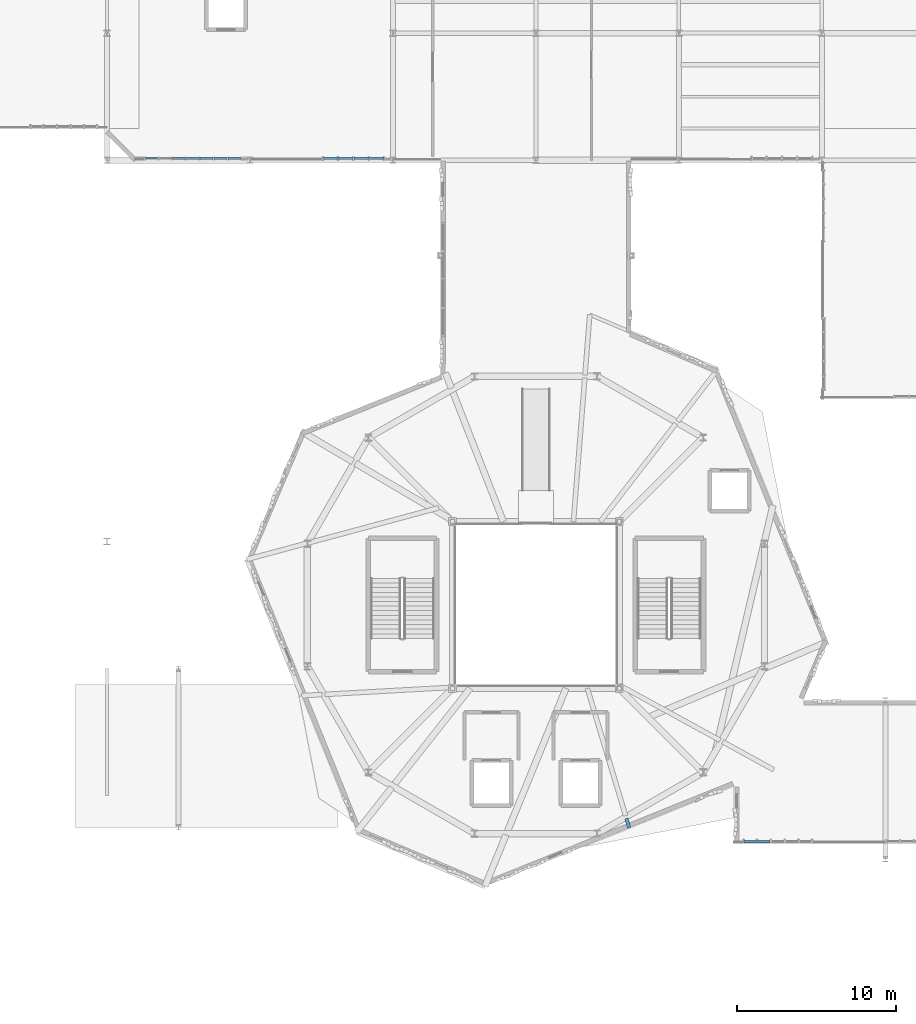
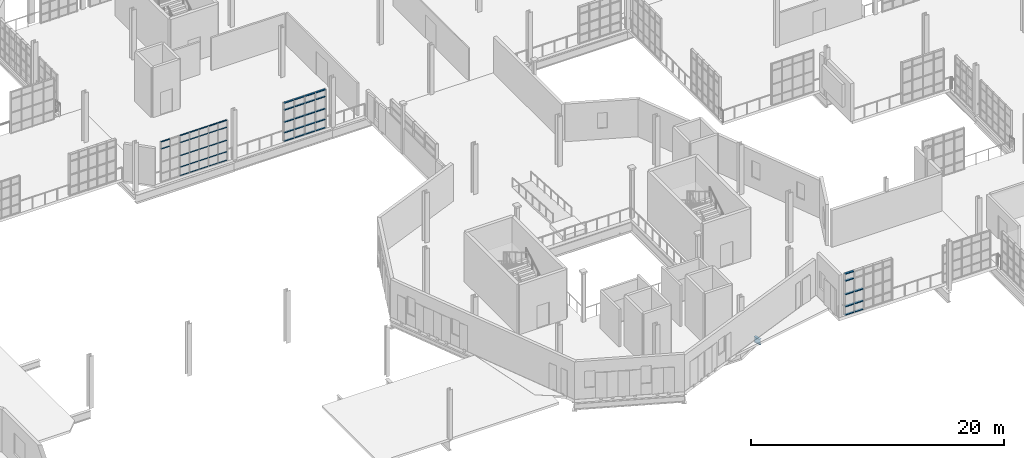
# One storey, part 62 of 122: 55 members, 1 beam, 3 elements without a shape of their own.
"""IFC4 building model written with IfcOpenShell, lengths in metres."""

from ifc_helpers import new_model, si_unit, direction, frame, origin, origin_2d, place, context, subcontext, project, spatial, hollow_rectangle, i_section, extrude, material, layer, layer_set, material_profile, profile_set, type_object, element, aggregate, save


model = new_model("IFC4")

# Units and contexts
model_context = context("Model", 3, precision=1e-05, world=origin(), true_north=direction((0.0, 1.0)))
body_context = subcontext(model_context, "Body", "Model", "MODEL_VIEW")
ifc_project = project(units=[si_unit("LENGTHUNIT", "METRE"), si_unit("AREAUNIT", "SQUARE_METRE"), si_unit("VOLUMEUNIT", "CUBIC_METRE"), si_unit("PLANEANGLEUNIT", "RADIAN"), si_unit("MASSUNIT", "GRAM", prefix="KILO"), si_unit("THERMODYNAMICTEMPERATUREUNIT", "KELVIN"), si_unit("POWERUNIT", "WATT")], contexts=[model_context])

# Site, building, storey
site_placement = place(None, origin())
site = spatial("IfcSite", under=ifc_project, at=site_placement, CompositionType="ELEMENT")
building_placement = place(site_placement, origin())
building = spatial("IfcBuilding", under=site, at=building_placement, Name="Zelmaris Science Centre", CompositionType="ELEMENT")
storey_placement = place(building_placement, frame((0.0, 0.0, 10.800048828125)))
storey = spatial("IfcBuildingStorey", under=building, at=storey_placement, Name="L02", CompositionType="ELEMENT", Elevation=10.800048828125)

# Curtain wall, members
ifc_material_1 = material(Name="Anodised architectural aluminium 6063-T6", Category="aluminium")
ifc_layer_1 = layer(ifc_material_1, 0.219970703125, Name="Anodised architectural aluminium 6063-T6")
ifc_layer_set_1 = layer_set([ifc_layer_1], Name="Anodised architectural aluminium 6063-T6")
curtain_wall_type_1 = type_object("IfcCurtainWallType", Name="Curtain Wall CW-04", PredefinedType="USERDEFINED", material=ifc_layer_set_1)
curtain_wall_1_placement = place(storey_placement, origin())
curtain_wall_1 = element("IfcCurtainWall", 1, at=curtain_wall_1_placement, inside=storey, type_object=curtain_wall_type_1, Name="L02 Unitised curtain wall 256", ObjectType="GLAZED CURTAIN WALL", PredefinedType="USERDEFINED")
ifc_material_profile_1 = material_profile(ifc_material_1, hollow_rectangle(XDim=0.06005859375, YDim=0.110107421875, WallThickness=0.0029296875, at=origin_2d()), Name="ALU-TRN-60X110")
ifc_profile_set_1 = profile_set([ifc_material_profile_1], Name="Anodised architectural aluminium 6063-T6")
member_type_1 = type_object("IfcMemberType", Name="ALU-TRN-60X110", PredefinedType="USERDEFINED", material=ifc_profile_set_1)
member_1_placement = place(storey_placement, frame((62.407958984375, 64.118408203125, 0.010986328125), z_axis=(-0.999999952982, 0.000306654386, 0.0), x_axis=(0.0, 0.0, 1.0)))
member_1 = element("IfcMember", 2, at=member_1_placement, type_object=member_type_1, Name="CW-04 transom 1.1", ObjectType="TRANSOM", PredefinedType="USERDEFINED", context=body_context, shape_type="SweptSolid", body=[
    extrude(hollow_rectangle(XDim=0.06005859375, YDim=0.110107421875, WallThickness=0.0029296875, at=origin_2d()), origin(), (0.0, 0.0, 1.0), 0.796142578125),
])
member_2_placement = place(storey_placement, frame((62.407958984375, 64.118408203125, 0.8349609375), z_axis=(-0.999999952982, 0.000306654386, 0.0), x_axis=(0.0, 0.0, 1.0)))
member_2 = element("IfcMember", 3, at=member_2_placement, type_object=member_type_1, Name="CW-04 transom 1.2", ObjectType="TRANSOM", PredefinedType="USERDEFINED", context=body_context, shape_type="SweptSolid", body=[
    extrude(hollow_rectangle(XDim=0.06005859375, YDim=0.110107421875, WallThickness=0.0029296875, at=origin_2d()), origin(), (0.0, 0.0, 1.0), 0.796142578125),
])
member_3_placement = place(storey_placement, frame((62.407958984375, 64.118408203125, 1.94384765625), z_axis=(-0.999999952982, 0.000306654386, 0.0), x_axis=(0.0, 0.0, 1.0)))
member_3 = element("IfcMember", 4, at=member_3_placement, type_object=member_type_1, Name="CW-04 transom 1.3", ObjectType="TRANSOM", PredefinedType="USERDEFINED", context=body_context, shape_type="SweptSolid", body=[
    extrude(hollow_rectangle(XDim=0.06005859375, YDim=0.110107421875, WallThickness=0.0029296875, at=origin_2d()), origin(), (0.0, 0.0, 1.0), 0.796142578125),
])
member_4_placement = place(storey_placement, frame((62.407958984375, 64.118408203125, 3.202880859375), z_axis=(-0.999999952982, 0.000306654386, 0.0), x_axis=(0.0, 0.0, 1.0)))
member_4 = element("IfcMember", 5, at=member_4_placement, type_object=member_type_1, Name="CW-04 transom 1.4", ObjectType="TRANSOM", PredefinedType="USERDEFINED", context=body_context, shape_type="SweptSolid", body=[
    extrude(hollow_rectangle(XDim=0.06005859375, YDim=0.110107421875, WallThickness=0.0029296875, at=origin_2d()), origin(), (0.0, 0.0, 1.0), 0.796142578125),
])
member_5_placement = place(storey_placement, frame((62.407958984375, 64.118408203125, 3.876953125), z_axis=(-0.999999952982, 0.000306654386, 0.0), x_axis=(0.0, 0.0, 1.0)))
member_5 = element("IfcMember", 6, at=member_5_placement, type_object=member_type_1, Name="CW-04 transom 1.5", ObjectType="TRANSOM", PredefinedType="USERDEFINED", context=body_context, shape_type="SweptSolid", body=[
    extrude(hollow_rectangle(XDim=0.06005859375, YDim=0.110107421875, WallThickness=0.0029296875, at=origin_2d()), origin(), (0.0, 0.0, 1.0), 0.796142578125),
])
member_6_placement = place(storey_placement, frame((61.559814453125, 64.11865234375, 0.010986328125), z_axis=(-0.999999955922, 0.000296912101, 0.0), x_axis=(0.0, 0.0, 1.0)))
member_6 = element("IfcMember", 7, at=member_6_placement, type_object=member_type_1, Name="CW-04 transom 2.1", ObjectType="TRANSOM", PredefinedType="USERDEFINED", context=body_context, shape_type="SweptSolid", body=[
    extrude(hollow_rectangle(XDim=0.06005859375, YDim=0.110107421875, WallThickness=0.0029296875, at=origin_2d()), origin(), (0.0, 0.0, 1.0), 0.822265625),
])
member_7_placement = place(storey_placement, frame((61.559814453125, 64.11865234375, 0.8349609375), z_axis=(-0.999999955922, 0.000296912101, 0.0), x_axis=(0.0, 0.0, 1.0)))
member_7 = element("IfcMember", 8, at=member_7_placement, type_object=member_type_1, Name="CW-04 transom 2.2", ObjectType="TRANSOM", PredefinedType="USERDEFINED", context=body_context, shape_type="SweptSolid", body=[
    extrude(hollow_rectangle(XDim=0.06005859375, YDim=0.110107421875, WallThickness=0.0029296875, at=origin_2d()), origin(), (0.0, 0.0, 1.0), 0.822265625),
])
member_8_placement = place(storey_placement, frame((61.559814453125, 64.11865234375, 1.94384765625), z_axis=(-0.999999955922, 0.000296912101, 0.0), x_axis=(0.0, 0.0, 1.0)))
member_8 = element("IfcMember", 9, at=member_8_placement, type_object=member_type_1, Name="CW-04 transom 2.3", ObjectType="TRANSOM", PredefinedType="USERDEFINED", context=body_context, shape_type="SweptSolid", body=[
    extrude(hollow_rectangle(XDim=0.06005859375, YDim=0.110107421875, WallThickness=0.0029296875, at=origin_2d()), origin(), (0.0, 0.0, 1.0), 0.822265625),
])
member_9_placement = place(storey_placement, frame((61.559814453125, 64.11865234375, 3.202880859375), z_axis=(-0.999999955922, 0.000296912101, 0.0), x_axis=(0.0, 0.0, 1.0)))
member_9 = element("IfcMember", 10, at=member_9_placement, type_object=member_type_1, Name="CW-04 transom 2.4", ObjectType="TRANSOM", PredefinedType="USERDEFINED", context=body_context, shape_type="SweptSolid", body=[
    extrude(hollow_rectangle(XDim=0.06005859375, YDim=0.110107421875, WallThickness=0.0029296875, at=origin_2d()), origin(), (0.0, 0.0, 1.0), 0.822265625),
])
member_10_placement = place(storey_placement, frame((61.559814453125, 64.11865234375, 3.876953125), z_axis=(-0.999999955922, 0.000296912101, 0.0), x_axis=(0.0, 0.0, 1.0)))
member_10 = element("IfcMember", 11, at=member_10_placement, type_object=member_type_1, Name="CW-04 transom 2.5", ObjectType="TRANSOM", PredefinedType="USERDEFINED", context=body_context, shape_type="SweptSolid", body=[
    extrude(hollow_rectangle(XDim=0.06005859375, YDim=0.110107421875, WallThickness=0.0029296875, at=origin_2d()), origin(), (0.0, 0.0, 1.0), 0.822265625),
])
member_11_placement = place(storey_placement, frame((60.685546875, 64.118896484375, 0.010986328125), z_axis=(-0.999999955948, 0.00029682397, 0.0), x_axis=(0.0, 0.0, 1.0)))
member_11 = element("IfcMember", 12, at=member_11_placement, type_object=member_type_1, Name="CW-04 transom 3.1", ObjectType="TRANSOM", PredefinedType="USERDEFINED", context=body_context, shape_type="SweptSolid", body=[
    extrude(hollow_rectangle(XDim=0.06005859375, YDim=0.110107421875, WallThickness=0.0029296875, at=origin_2d()), origin(), (0.0, 0.0, 1.0), 0.822509765625),
])
member_12_placement = place(storey_placement, frame((60.685546875, 64.118896484375, 0.8349609375), z_axis=(-0.999999955948, 0.00029682397, 0.0), x_axis=(0.0, 0.0, 1.0)))
member_12 = element("IfcMember", 13, at=member_12_placement, type_object=member_type_1, Name="CW-04 transom 3.2", ObjectType="TRANSOM", PredefinedType="USERDEFINED", context=body_context, shape_type="SweptSolid", body=[
    extrude(hollow_rectangle(XDim=0.06005859375, YDim=0.110107421875, WallThickness=0.0029296875, at=origin_2d()), origin(), (0.0, 0.0, 1.0), 0.822509765625),
])
member_13_placement = place(storey_placement, frame((60.685546875, 64.118896484375, 1.94384765625), z_axis=(-0.999999955948, 0.00029682397, 0.0), x_axis=(0.0, 0.0, 1.0)))
member_13 = element("IfcMember", 14, at=member_13_placement, type_object=member_type_1, Name="CW-04 transom 3.3", ObjectType="TRANSOM", PredefinedType="USERDEFINED", context=body_context, shape_type="SweptSolid", body=[
    extrude(hollow_rectangle(XDim=0.06005859375, YDim=0.110107421875, WallThickness=0.0029296875, at=origin_2d()), origin(), (0.0, 0.0, 1.0), 0.822509765625),
])
member_14_placement = place(storey_placement, frame((60.685546875, 64.118896484375, 3.202880859375), z_axis=(-0.999999955948, 0.00029682397, 0.0), x_axis=(0.0, 0.0, 1.0)))
member_14 = element("IfcMember", 15, at=member_14_placement, type_object=member_type_1, Name="CW-04 transom 3.4", ObjectType="TRANSOM", PredefinedType="USERDEFINED", context=body_context, shape_type="SweptSolid", body=[
    extrude(hollow_rectangle(XDim=0.06005859375, YDim=0.110107421875, WallThickness=0.0029296875, at=origin_2d()), origin(), (0.0, 0.0, 1.0), 0.822509765625),
])
member_15_placement = place(storey_placement, frame((60.685546875, 64.118896484375, 3.876953125), z_axis=(-0.999999955948, 0.00029682397, 0.0), x_axis=(0.0, 0.0, 1.0)))
member_15 = element("IfcMember", 16, at=member_15_placement, type_object=member_type_1, Name="CW-04 transom 3.5", ObjectType="TRANSOM", PredefinedType="USERDEFINED", context=body_context, shape_type="SweptSolid", body=[
    extrude(hollow_rectangle(XDim=0.06005859375, YDim=0.110107421875, WallThickness=0.0029296875, at=origin_2d()), origin(), (0.0, 0.0, 1.0), 0.822509765625),
])
member_16_placement = place(storey_placement, frame((59.81103515625, 64.119140625, 0.010986328125), z_axis=(-0.999999955922, 0.000296912101, 0.0), x_axis=(0.0, 0.0, 1.0)))
member_16 = element("IfcMember", 17, at=member_16_placement, type_object=member_type_1, Name="CW-04 transom 4.1", ObjectType="TRANSOM", PredefinedType="USERDEFINED", context=body_context, shape_type="SweptSolid", body=[
    extrude(hollow_rectangle(XDim=0.06005859375, YDim=0.110107421875, WallThickness=0.0029296875, at=origin_2d()), origin(), (0.0, 0.0, 1.0), 0.822265625),
])
member_17_placement = place(storey_placement, frame((59.81103515625, 64.119140625, 0.8349609375), z_axis=(-0.999999955922, 0.000296912101, 0.0), x_axis=(0.0, 0.0, 1.0)))
member_17 = element("IfcMember", 18, at=member_17_placement, type_object=member_type_1, Name="CW-04 transom 4.2", ObjectType="TRANSOM", PredefinedType="USERDEFINED", context=body_context, shape_type="SweptSolid", body=[
    extrude(hollow_rectangle(XDim=0.06005859375, YDim=0.110107421875, WallThickness=0.0029296875, at=origin_2d()), origin(), (0.0, 0.0, 1.0), 0.822265625),
])
member_18_placement = place(storey_placement, frame((59.81103515625, 64.119140625, 1.94384765625), z_axis=(-0.999999955922, 0.000296912101, 0.0), x_axis=(0.0, 0.0, 1.0)))
member_18 = element("IfcMember", 19, at=member_18_placement, type_object=member_type_1, Name="CW-04 transom 4.3", ObjectType="TRANSOM", PredefinedType="USERDEFINED", context=body_context, shape_type="SweptSolid", body=[
    extrude(hollow_rectangle(XDim=0.06005859375, YDim=0.110107421875, WallThickness=0.0029296875, at=origin_2d()), origin(), (0.0, 0.0, 1.0), 0.822265625),
])
member_19_placement = place(storey_placement, frame((59.81103515625, 64.119140625, 3.202880859375), z_axis=(-0.999999955922, 0.000296912101, 0.0), x_axis=(0.0, 0.0, 1.0)))
member_19 = element("IfcMember", 20, at=member_19_placement, type_object=member_type_1, Name="CW-04 transom 4.4", ObjectType="TRANSOM", PredefinedType="USERDEFINED", context=body_context, shape_type="SweptSolid", body=[
    extrude(hollow_rectangle(XDim=0.06005859375, YDim=0.110107421875, WallThickness=0.0029296875, at=origin_2d()), origin(), (0.0, 0.0, 1.0), 0.822265625),
])
member_20_placement = place(storey_placement, frame((59.81103515625, 64.119140625, 3.876953125), z_axis=(-0.999999955922, 0.000296912101, 0.0), x_axis=(0.0, 0.0, 1.0)))
member_20 = element("IfcMember", 21, at=member_20_placement, type_object=member_type_1, Name="CW-04 transom 4.5", ObjectType="TRANSOM", PredefinedType="USERDEFINED", context=body_context, shape_type="SweptSolid", body=[
    extrude(hollow_rectangle(XDim=0.06005859375, YDim=0.110107421875, WallThickness=0.0029296875, at=origin_2d()), origin(), (0.0, 0.0, 1.0), 0.822265625),
])
member_21_placement = place(storey_placement, frame((58.936767578125, 64.119384765625, 0.010986328125), z_axis=(-1.0, 0.0, 0.0), x_axis=(0.0, 0.0, 1.0)))
member_21 = element("IfcMember", 22, at=member_21_placement, type_object=member_type_1, Name="CW-04 transom 5.1", ObjectType="TRANSOM", PredefinedType="USERDEFINED", context=body_context, shape_type="SweptSolid", body=[
    extrude(hollow_rectangle(XDim=0.06005859375, YDim=0.110107421875, WallThickness=0.0029296875, at=origin_2d()), origin(), (0.0, 0.0, 1.0), 0.822265625),
])
member_22_placement = place(storey_placement, frame((58.936767578125, 64.119384765625, 0.8349609375), z_axis=(-1.0, 0.0, 0.0), x_axis=(0.0, 0.0, 1.0)))
member_22 = element("IfcMember", 23, at=member_22_placement, type_object=member_type_1, Name="CW-04 transom 5.2", ObjectType="TRANSOM", PredefinedType="USERDEFINED", context=body_context, shape_type="SweptSolid", body=[
    extrude(hollow_rectangle(XDim=0.06005859375, YDim=0.110107421875, WallThickness=0.0029296875, at=origin_2d()), origin(), (0.0, 0.0, 1.0), 0.822265625),
])
member_23_placement = place(storey_placement, frame((58.936767578125, 64.119384765625, 1.94384765625), z_axis=(-1.0, 0.0, 0.0), x_axis=(0.0, 0.0, 1.0)))
member_23 = element("IfcMember", 24, at=member_23_placement, type_object=member_type_1, Name="CW-04 transom 5.3", ObjectType="TRANSOM", PredefinedType="USERDEFINED", context=body_context, shape_type="SweptSolid", body=[
    extrude(hollow_rectangle(XDim=0.06005859375, YDim=0.110107421875, WallThickness=0.0029296875, at=origin_2d()), origin(), (0.0, 0.0, 1.0), 0.822265625),
])
member_24_placement = place(storey_placement, frame((58.936767578125, 64.119384765625, 3.202880859375), z_axis=(-1.0, 0.0, 0.0), x_axis=(0.0, 0.0, 1.0)))
member_24 = element("IfcMember", 25, at=member_24_placement, type_object=member_type_1, Name="CW-04 transom 5.4", ObjectType="TRANSOM", PredefinedType="USERDEFINED", context=body_context, shape_type="SweptSolid", body=[
    extrude(hollow_rectangle(XDim=0.06005859375, YDim=0.110107421875, WallThickness=0.0029296875, at=origin_2d()), origin(), (0.0, 0.0, 1.0), 0.822265625),
])
member_25_placement = place(storey_placement, frame((58.936767578125, 64.119384765625, 3.876953125), z_axis=(-1.0, 0.0, 0.0), x_axis=(0.0, 0.0, 1.0)))
member_25 = element("IfcMember", 26, at=member_25_placement, type_object=member_type_1, Name="CW-04 transom 5.5", ObjectType="TRANSOM", PredefinedType="USERDEFINED", context=body_context, shape_type="SweptSolid", body=[
    extrude(hollow_rectangle(XDim=0.06005859375, YDim=0.110107421875, WallThickness=0.0029296875, at=origin_2d()), origin(), (0.0, 0.0, 1.0), 0.822265625),
])
member_26_placement = place(storey_placement, frame((57.188232421875, 64.11962890625, 3.202880859375), z_axis=(-0.999999952982, 0.000306654386, 0.0), x_axis=(0.0, 0.0, 1.0)))
member_26 = element("IfcMember", 27, at=member_26_placement, type_object=member_type_1, Name="CW-04 transom 7.4", ObjectType="TRANSOM", PredefinedType="USERDEFINED", context=body_context, shape_type="SweptSolid", body=[
    extrude(hollow_rectangle(XDim=0.06005859375, YDim=0.110107421875, WallThickness=0.0029296875, at=origin_2d()), origin(), (0.0, 0.0, 1.0), 0.796142578125),
])
member_27_placement = place(storey_placement, frame((57.188232421875, 64.11962890625, 3.876953125), z_axis=(-0.999999952982, 0.000306654386, 0.0), x_axis=(0.0, 0.0, 1.0)))
member_27 = element("IfcMember", 28, at=member_27_placement, type_object=member_type_1, Name="CW-04 transom 7.5", ObjectType="TRANSOM", PredefinedType="USERDEFINED", context=body_context, shape_type="SweptSolid", body=[
    extrude(hollow_rectangle(XDim=0.06005859375, YDim=0.110107421875, WallThickness=0.0029296875, at=origin_2d()), origin(), (0.0, 0.0, 1.0), 0.796142578125),
])
aggregate(curtain_wall_1, [member_1, member_2, member_3, member_4, member_5, member_6, member_7, member_8, member_9, member_10, member_11, member_12, member_13, member_14, member_15, member_16, member_17, member_18, member_19, member_20, member_21, member_22, member_23, member_24, member_25, member_26, member_27])

ifc_layer_2 = layer(ifc_material_1, 0.199951171875, Name="Anodised architectural aluminium 6063-T6")
ifc_layer_set_2 = layer_set([ifc_layer_2], Name="Anodised architectural aluminium 6063-T6")
curtain_wall_type_2 = type_object("IfcCurtainWallType", Name="Curtain Wall CW-02", PredefinedType="USERDEFINED", material=ifc_layer_set_2)
curtain_wall_2_placement = place(storey_placement, origin())
curtain_wall_2 = element("IfcCurtainWall", 29, at=curtain_wall_2_placement, inside=storey, type_object=curtain_wall_type_2, Name="L02 Unitised curtain wall 254", ObjectType="GLAZED CURTAIN WALL", PredefinedType="USERDEFINED")
ifc_material_profile_2 = material_profile(ifc_material_1, hollow_rectangle(XDim=0.074951171875, YDim=0.159912109375, WallThickness=0.00390625, at=origin_2d()), Name="ALU-TRN-75X160")
ifc_profile_set_2 = profile_set([ifc_material_profile_2], Name="Anodised architectural aluminium 6063-T6")
member_type_2 = type_object("IfcMemberType", Name="ALU-TRN-75X160", PredefinedType="USERDEFINED", material=ifc_profile_set_2)
member_28_placement = place(storey_placement, frame((71.39306640625, 64.1162109375, 0.0185546875), z_axis=(-0.999999961031, 0.000279173635, 0.0), x_axis=(0.0, 0.0, 1.0)))
member_28 = element("IfcMember", 30, at=member_28_placement, type_object=member_type_2, Name="CW-02 transom 1.1", ObjectType="TRANSOM", PredefinedType="USERDEFINED", context=body_context, shape_type="SweptSolid", body=[
    extrude(hollow_rectangle(XDim=0.074951171875, YDim=0.159912109375, WallThickness=0.00390625, at=origin_2d()), origin(), (0.0, 0.0, 1.0), 0.87451171875),
])
member_29_placement = place(storey_placement, frame((71.39306640625, 64.1162109375, 0.8349609375), z_axis=(-0.999999961031, 0.000279173635, 0.0), x_axis=(0.0, 0.0, 1.0)))
member_29 = element("IfcMember", 31, at=member_29_placement, type_object=member_type_2, Name="CW-02 transom 1.2", ObjectType="TRANSOM", PredefinedType="USERDEFINED", context=body_context, shape_type="SweptSolid", body=[
    extrude(hollow_rectangle(XDim=0.074951171875, YDim=0.159912109375, WallThickness=0.00390625, at=origin_2d()), origin(), (0.0, 0.0, 1.0), 0.87451171875),
])
member_30_placement = place(storey_placement, frame((71.39306640625, 64.1162109375, 1.85986328125), z_axis=(-0.999999961031, 0.000279173635, 0.0), x_axis=(0.0, 0.0, 1.0)))
member_30 = element("IfcMember", 32, at=member_30_placement, type_object=member_type_2, Name="CW-02 transom 1.3", ObjectType="TRANSOM", PredefinedType="USERDEFINED", context=body_context, shape_type="SweptSolid", body=[
    extrude(hollow_rectangle(XDim=0.074951171875, YDim=0.159912109375, WallThickness=0.00390625, at=origin_2d()), origin(), (0.0, 0.0, 1.0), 0.87451171875),
])
member_31_placement = place(storey_placement, frame((71.39306640625, 64.1162109375, 3.034912109375), z_axis=(-0.999999961031, 0.000279173635, 0.0), x_axis=(0.0, 0.0, 1.0)))
member_31 = element("IfcMember", 33, at=member_31_placement, type_object=member_type_2, Name="CW-02 transom 1.4", ObjectType="TRANSOM", PredefinedType="USERDEFINED", context=body_context, shape_type="SweptSolid", body=[
    extrude(hollow_rectangle(XDim=0.074951171875, YDim=0.159912109375, WallThickness=0.00390625, at=origin_2d()), origin(), (0.0, 0.0, 1.0), 0.87451171875),
])
member_32_placement = place(storey_placement, frame((71.39306640625, 64.1162109375, 3.701416015625), z_axis=(-0.999999961031, 0.000279173635, 0.0), x_axis=(0.0, 0.0, 1.0)))
member_32 = element("IfcMember", 34, at=member_32_placement, type_object=member_type_2, Name="CW-02 transom 1.5", ObjectType="TRANSOM", PredefinedType="USERDEFINED", context=body_context, shape_type="SweptSolid", body=[
    extrude(hollow_rectangle(XDim=0.074951171875, YDim=0.159912109375, WallThickness=0.00390625, at=origin_2d()), origin(), (0.0, 0.0, 1.0), 0.87451171875),
])
member_33_placement = place(storey_placement, frame((70.451416015625, 64.116455078125, 0.0185546875), z_axis=(-0.999999963849, 0.000268889477, 0.0), x_axis=(0.0, 0.0, 1.0)))
member_33 = element("IfcMember", 35, at=member_33_placement, type_object=member_type_2, Name="CW-02 transom 2.1", ObjectType="TRANSOM", PredefinedType="USERDEFINED", context=body_context, shape_type="SweptSolid", body=[
    extrude(hollow_rectangle(XDim=0.074951171875, YDim=0.159912109375, WallThickness=0.00390625, at=origin_2d()), origin(), (0.0, 0.0, 1.0), 0.907958984375),
])
member_34_placement = place(storey_placement, frame((70.451416015625, 64.116455078125, 0.8349609375), z_axis=(-0.999999963849, 0.000268889477, 0.0), x_axis=(0.0, 0.0, 1.0)))
member_34 = element("IfcMember", 36, at=member_34_placement, type_object=member_type_2, Name="CW-02 transom 2.2", ObjectType="TRANSOM", PredefinedType="USERDEFINED", context=body_context, shape_type="SweptSolid", body=[
    extrude(hollow_rectangle(XDim=0.074951171875, YDim=0.159912109375, WallThickness=0.00390625, at=origin_2d()), origin(), (0.0, 0.0, 1.0), 0.907958984375),
])
member_35_placement = place(storey_placement, frame((70.451416015625, 64.116455078125, 1.85986328125), z_axis=(-0.999999963849, 0.000268889477, 0.0), x_axis=(0.0, 0.0, 1.0)))
member_35 = element("IfcMember", 37, at=member_35_placement, type_object=member_type_2, Name="CW-02 transom 2.3", ObjectType="TRANSOM", PredefinedType="USERDEFINED", context=body_context, shape_type="SweptSolid", body=[
    extrude(hollow_rectangle(XDim=0.074951171875, YDim=0.159912109375, WallThickness=0.00390625, at=origin_2d()), origin(), (0.0, 0.0, 1.0), 0.907958984375),
])
member_36_placement = place(storey_placement, frame((70.451416015625, 64.116455078125, 3.034912109375), z_axis=(-0.999999963849, 0.000268889477, 0.0), x_axis=(0.0, 0.0, 1.0)))
member_36 = element("IfcMember", 38, at=member_36_placement, type_object=member_type_2, Name="CW-02 transom 2.4", ObjectType="TRANSOM", PredefinedType="USERDEFINED", context=body_context, shape_type="SweptSolid", body=[
    extrude(hollow_rectangle(XDim=0.074951171875, YDim=0.159912109375, WallThickness=0.00390625, at=origin_2d()), origin(), (0.0, 0.0, 1.0), 0.907958984375),
])
member_37_placement = place(storey_placement, frame((70.451416015625, 64.116455078125, 3.701416015625), z_axis=(-0.999999963849, 0.000268889477, 0.0), x_axis=(0.0, 0.0, 1.0)))
member_37 = element("IfcMember", 39, at=member_37_placement, type_object=member_type_2, Name="CW-02 transom 2.5", ObjectType="TRANSOM", PredefinedType="USERDEFINED", context=body_context, shape_type="SweptSolid", body=[
    extrude(hollow_rectangle(XDim=0.074951171875, YDim=0.159912109375, WallThickness=0.00390625, at=origin_2d()), origin(), (0.0, 0.0, 1.0), 0.907958984375),
])
member_38_placement = place(storey_placement, frame((69.4765625, 64.11669921875, 0.0185546875), z_axis=(-0.999999963849, 0.000268889477, 0.0), x_axis=(0.0, 0.0, 1.0)))
member_38 = element("IfcMember", 40, at=member_38_placement, type_object=member_type_2, Name="CW-02 transom 3.1", ObjectType="TRANSOM", PredefinedType="USERDEFINED", context=body_context, shape_type="SweptSolid", body=[
    extrude(hollow_rectangle(XDim=0.074951171875, YDim=0.159912109375, WallThickness=0.00390625, at=origin_2d()), origin(), (0.0, 0.0, 1.0), 0.907958984375),
])
member_39_placement = place(storey_placement, frame((69.4765625, 64.11669921875, 0.8349609375), z_axis=(-0.999999963849, 0.000268889477, 0.0), x_axis=(0.0, 0.0, 1.0)))
member_39 = element("IfcMember", 41, at=member_39_placement, type_object=member_type_2, Name="CW-02 transom 3.2", ObjectType="TRANSOM", PredefinedType="USERDEFINED", context=body_context, shape_type="SweptSolid", body=[
    extrude(hollow_rectangle(XDim=0.074951171875, YDim=0.159912109375, WallThickness=0.00390625, at=origin_2d()), origin(), (0.0, 0.0, 1.0), 0.907958984375),
])
member_40_placement = place(storey_placement, frame((69.4765625, 64.11669921875, 1.85986328125), z_axis=(-0.999999963849, 0.000268889477, 0.0), x_axis=(0.0, 0.0, 1.0)))
member_40 = element("IfcMember", 42, at=member_40_placement, type_object=member_type_2, Name="CW-02 transom 3.3", ObjectType="TRANSOM", PredefinedType="USERDEFINED", context=body_context, shape_type="SweptSolid", body=[
    extrude(hollow_rectangle(XDim=0.074951171875, YDim=0.159912109375, WallThickness=0.00390625, at=origin_2d()), origin(), (0.0, 0.0, 1.0), 0.907958984375),
])
member_41_placement = place(storey_placement, frame((69.4765625, 64.11669921875, 3.034912109375), z_axis=(-0.999999963849, 0.000268889477, 0.0), x_axis=(0.0, 0.0, 1.0)))
member_41 = element("IfcMember", 43, at=member_41_placement, type_object=member_type_2, Name="CW-02 transom 3.4", ObjectType="TRANSOM", PredefinedType="USERDEFINED", context=body_context, shape_type="SweptSolid", body=[
    extrude(hollow_rectangle(XDim=0.074951171875, YDim=0.159912109375, WallThickness=0.00390625, at=origin_2d()), origin(), (0.0, 0.0, 1.0), 0.907958984375),
])
member_42_placement = place(storey_placement, frame((69.4765625, 64.11669921875, 3.701416015625), z_axis=(-0.999999963849, 0.000268889477, 0.0), x_axis=(0.0, 0.0, 1.0)))
member_42 = element("IfcMember", 44, at=member_42_placement, type_object=member_type_2, Name="CW-02 transom 3.5", ObjectType="TRANSOM", PredefinedType="USERDEFINED", context=body_context, shape_type="SweptSolid", body=[
    extrude(hollow_rectangle(XDim=0.074951171875, YDim=0.159912109375, WallThickness=0.00390625, at=origin_2d()), origin(), (0.0, 0.0, 1.0), 0.907958984375),
])
member_43_placement = place(storey_placement, frame((68.50146484375, 64.116943359375, 0.0185546875), z_axis=(-0.999999961031, 0.000279173635, 0.0), x_axis=(0.0, 0.0, 1.0)))
member_43 = element("IfcMember", 45, at=member_43_placement, type_object=member_type_2, Name="CW-02 transom 4.1", ObjectType="TRANSOM", PredefinedType="USERDEFINED", context=body_context, shape_type="SweptSolid", body=[
    extrude(hollow_rectangle(XDim=0.074951171875, YDim=0.159912109375, WallThickness=0.00390625, at=origin_2d()), origin(), (0.0, 0.0, 1.0), 0.87451171875),
])
member_44_placement = place(storey_placement, frame((68.50146484375, 64.116943359375, 0.8349609375), z_axis=(-0.999999961031, 0.000279173635, 0.0), x_axis=(0.0, 0.0, 1.0)))
member_44 = element("IfcMember", 46, at=member_44_placement, type_object=member_type_2, Name="CW-02 transom 4.2", ObjectType="TRANSOM", PredefinedType="USERDEFINED", context=body_context, shape_type="SweptSolid", body=[
    extrude(hollow_rectangle(XDim=0.074951171875, YDim=0.159912109375, WallThickness=0.00390625, at=origin_2d()), origin(), (0.0, 0.0, 1.0), 0.87451171875),
])
member_45_placement = place(storey_placement, frame((68.50146484375, 64.116943359375, 1.85986328125), z_axis=(-0.999999961031, 0.000279173635, 0.0), x_axis=(0.0, 0.0, 1.0)))
member_45 = element("IfcMember", 47, at=member_45_placement, type_object=member_type_2, Name="CW-02 transom 4.3", ObjectType="TRANSOM", PredefinedType="USERDEFINED", context=body_context, shape_type="SweptSolid", body=[
    extrude(hollow_rectangle(XDim=0.074951171875, YDim=0.159912109375, WallThickness=0.00390625, at=origin_2d()), origin(), (0.0, 0.0, 1.0), 0.87451171875),
])
member_46_placement = place(storey_placement, frame((68.50146484375, 64.116943359375, 3.034912109375), z_axis=(-0.999999961031, 0.000279173635, 0.0), x_axis=(0.0, 0.0, 1.0)))
member_46 = element("IfcMember", 48, at=member_46_placement, type_object=member_type_2, Name="CW-02 transom 4.4", ObjectType="TRANSOM", PredefinedType="USERDEFINED", context=body_context, shape_type="SweptSolid", body=[
    extrude(hollow_rectangle(XDim=0.074951171875, YDim=0.159912109375, WallThickness=0.00390625, at=origin_2d()), origin(), (0.0, 0.0, 1.0), 0.87451171875),
])
member_47_placement = place(storey_placement, frame((68.50146484375, 64.116943359375, 3.701416015625), z_axis=(-0.999999961031, 0.000279173635, 0.0), x_axis=(0.0, 0.0, 1.0)))
member_47 = element("IfcMember", 49, at=member_47_placement, type_object=member_type_2, Name="CW-02 transom 4.5", ObjectType="TRANSOM", PredefinedType="USERDEFINED", context=body_context, shape_type="SweptSolid", body=[
    extrude(hollow_rectangle(XDim=0.074951171875, YDim=0.159912109375, WallThickness=0.00390625, at=origin_2d()), origin(), (0.0, 0.0, 1.0), 0.87451171875),
])
aggregate(curtain_wall_2, [member_28, member_29, member_30, member_31, member_32, member_33, member_34, member_35, member_36, member_37, member_38, member_39, member_40, member_41, member_42, member_43, member_44, member_45, member_46, member_47])

ifc_layer_3 = layer(ifc_material_1, 0.18994140625, Name="Anodised architectural aluminium 6063-T6")
ifc_layer_set_3 = layer_set([ifc_layer_3], Name="Anodised architectural aluminium 6063-T6")
curtain_wall_type_3 = type_object("IfcCurtainWallType", Name="Curtain Wall CW-01", PredefinedType="USERDEFINED", material=ifc_layer_set_3)
curtain_wall_3_placement = place(storey_placement, origin())
curtain_wall_3 = element("IfcCurtainWall", 50, at=curtain_wall_3_placement, inside=storey, type_object=curtain_wall_type_3, Name="L02 Unitised curtain wall 249", ObjectType="GLAZED CURTAIN WALL", PredefinedType="USERDEFINED")
ifc_material_profile_3 = material_profile(ifc_material_1, hollow_rectangle(XDim=0.080078125, YDim=0.18994140625, WallThickness=0.00439453125, at=origin_2d()), Name="ALU-TRN-80X190")
ifc_profile_set_3 = profile_set([ifc_material_profile_3], Name="Anodised architectural aluminium 6063-T6")
member_type_3 = type_object("IfcMemberType", Name="ALU-TRN-80X190", PredefinedType="USERDEFINED", material=ifc_profile_set_3)
member_48_placement = place(storey_placement, frame((95.75341796875, 21.1201171875, 0.02099609375), z_axis=(-1.0, 0.0, 0.0), x_axis=(0.0, 0.0, 1.0)))
member_48 = element("IfcMember", 51, at=member_48_placement, type_object=member_type_3, Name="CW-01 transom 4.1", ObjectType="TRANSOM", PredefinedType="USERDEFINED", context=body_context, shape_type="SweptSolid", body=[
    extrude(hollow_rectangle(XDim=0.080078125, YDim=0.18994140625, WallThickness=0.00439453125, at=origin_2d()), origin(), (0.0, 0.0, 1.0), 0.802734375),
])
member_49_placement = place(storey_placement, frame((95.75341796875, 21.1201171875, 0.8349609375), z_axis=(-1.0, 0.0, 0.0), x_axis=(0.0, 0.0, 1.0)))
member_49 = element("IfcMember", 52, at=member_49_placement, type_object=member_type_3, Name="CW-01 transom 4.2", ObjectType="TRANSOM", PredefinedType="USERDEFINED", context=body_context, shape_type="SweptSolid", body=[
    extrude(hollow_rectangle(XDim=0.080078125, YDim=0.18994140625, WallThickness=0.00439453125, at=origin_2d()), origin(), (0.0, 0.0, 1.0), 0.802734375),
])
member_50_placement = place(storey_placement, frame((95.75341796875, 21.1201171875, 2.00244140625), z_axis=(-1.0, 0.0, 0.0), x_axis=(0.0, 0.0, 1.0)))
member_50 = element("IfcMember", 53, at=member_50_placement, type_object=member_type_3, Name="CW-01 transom 4.3", ObjectType="TRANSOM", PredefinedType="USERDEFINED", context=body_context, shape_type="SweptSolid", body=[
    extrude(hollow_rectangle(XDim=0.080078125, YDim=0.18994140625, WallThickness=0.00439453125, at=origin_2d()), origin(), (0.0, 0.0, 1.0), 0.802734375),
])
member_51_placement = place(storey_placement, frame((94.878662109375, 21.1201171875, 0.02099609375), z_axis=(-1.0, 0.0, 0.0), x_axis=(0.0, 0.0, 1.0)))
member_51 = element("IfcMember", 54, at=member_51_placement, type_object=member_type_3, Name="CW-01 transom 5.1", ObjectType="TRANSOM", PredefinedType="USERDEFINED", context=body_context, shape_type="SweptSolid", body=[
    extrude(hollow_rectangle(XDim=0.080078125, YDim=0.18994140625, WallThickness=0.00439453125, at=origin_2d()), origin(), (0.0, 0.0, 1.0), 0.7666015625),
])
member_52_placement = place(storey_placement, frame((94.878662109375, 21.1201171875, 0.8349609375), z_axis=(-1.0, 0.0, 0.0), x_axis=(0.0, 0.0, 1.0)))
member_52 = element("IfcMember", 55, at=member_52_placement, type_object=member_type_3, Name="CW-01 transom 5.2", ObjectType="TRANSOM", PredefinedType="USERDEFINED", context=body_context, shape_type="SweptSolid", body=[
    extrude(hollow_rectangle(XDim=0.080078125, YDim=0.18994140625, WallThickness=0.00439453125, at=origin_2d()), origin(), (0.0, 0.0, 1.0), 0.7666015625),
])
member_53_placement = place(storey_placement, frame((94.878662109375, 21.1201171875, 2.00244140625), z_axis=(-1.0, 0.0, 0.0), x_axis=(0.0, 0.0, 1.0)))
member_53 = element("IfcMember", 56, at=member_53_placement, type_object=member_type_3, Name="CW-01 transom 5.3", ObjectType="TRANSOM", PredefinedType="USERDEFINED", context=body_context, shape_type="SweptSolid", body=[
    extrude(hollow_rectangle(XDim=0.080078125, YDim=0.18994140625, WallThickness=0.00439453125, at=origin_2d()), origin(), (0.0, 0.0, 1.0), 0.7666015625),
])
member_54_placement = place(storey_placement, frame((94.878662109375, 21.1201171875, 3.320068359375), z_axis=(-1.0, 0.0, 0.0), x_axis=(0.0, 0.0, 1.0)))
member_54 = element("IfcMember", 57, at=member_54_placement, type_object=member_type_3, Name="CW-01 transom 5.4", ObjectType="TRANSOM", PredefinedType="USERDEFINED", context=body_context, shape_type="SweptSolid", body=[
    extrude(hollow_rectangle(XDim=0.080078125, YDim=0.18994140625, WallThickness=0.00439453125, at=origin_2d()), origin(), (0.0, 0.0, 1.0), 0.7666015625),
])
member_55_placement = place(storey_placement, frame((94.878662109375, 21.1201171875, 3.98388671875), z_axis=(-1.0, 0.0, 0.0), x_axis=(0.0, 0.0, 1.0)))
member_55 = element("IfcMember", 58, at=member_55_placement, type_object=member_type_3, Name="CW-01 transom 5.5", ObjectType="TRANSOM", PredefinedType="USERDEFINED", context=body_context, shape_type="SweptSolid", body=[
    extrude(hollow_rectangle(XDim=0.080078125, YDim=0.18994140625, WallThickness=0.00439453125, at=origin_2d()), origin(), (0.0, 0.0, 1.0), 0.7666015625),
])
aggregate(curtain_wall_3, [member_48, member_49, member_50, member_51, member_52, member_53, member_54, member_55])

# Beam
ifc_material_2 = material(Name="Steel ASTM A992 Grade 50", Category="steel")
ifc_material_profile_4 = material_profile(ifc_material_2, i_section(OverallWidth=0.2109375, OverallDepth=0.5380859375, WebThickness=0.01171875, FlangeThickness=0.018798828125, FilletRadius=0.013916015625, at=origin_2d()), Name="W21X73")
ifc_profile_set_4 = profile_set([ifc_material_profile_4], Name="Steel ASTM A992 Grade 50")
beam_type = type_object("IfcBeamType", Name="Beam G-19 W21X73", PredefinedType="BEAM", material=ifc_profile_set_4)
beam_placement = place(storey_placement, frame((86.69873046875, 22.564697265625, -0.569091796875), z_axis=(0.28777368387, -0.957698442555, 0.0), x_axis=(0.957698442555, 0.28777368387, 0.0)))
element("IfcBeam", 59, at=beam_placement, inside=storey, type_object=beam_type, Name="L02 Radial overhang girder 2", PredefinedType="BEAM", context=body_context, shape_type="SweptSolid", body=[
    extrude(i_section(OverallWidth=0.2109375, OverallDepth=0.5380859375, WebThickness=0.01171875, FlangeThickness=0.018798828125, FilletRadius=0.013916015625, at=origin_2d()), origin(), (0.0, 0.0, 1.0), 0.631103515625),
])

save(model, "model.ifc")
